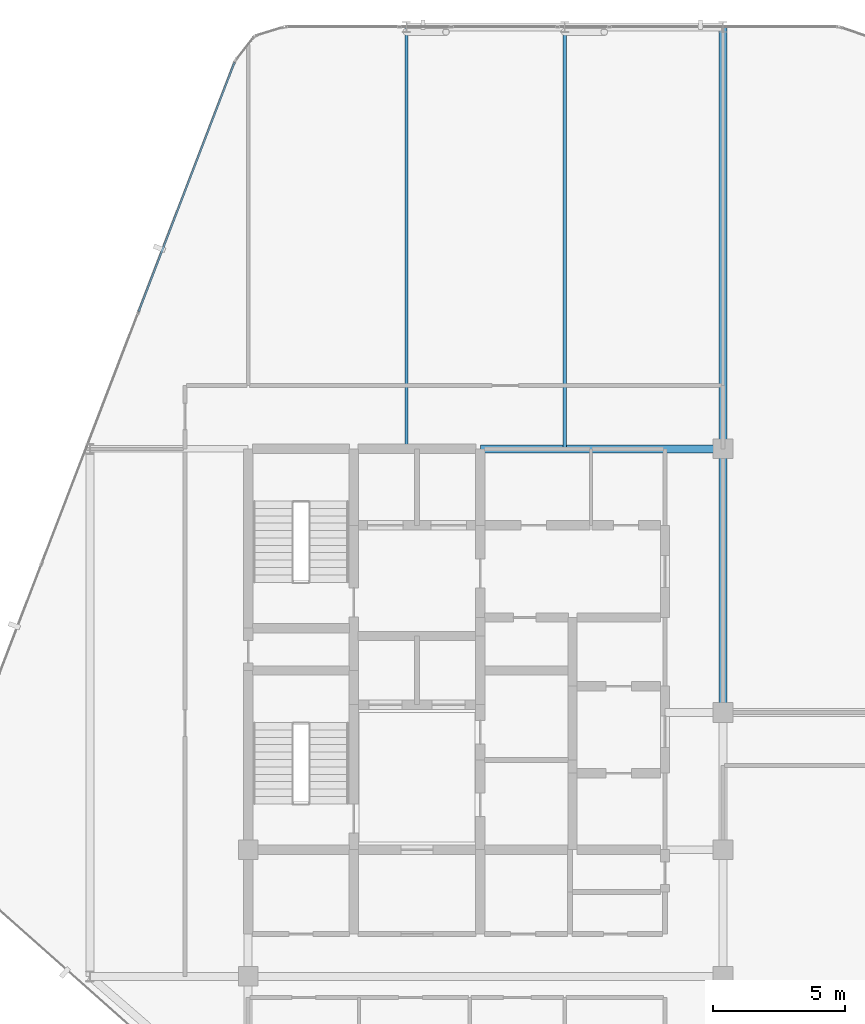
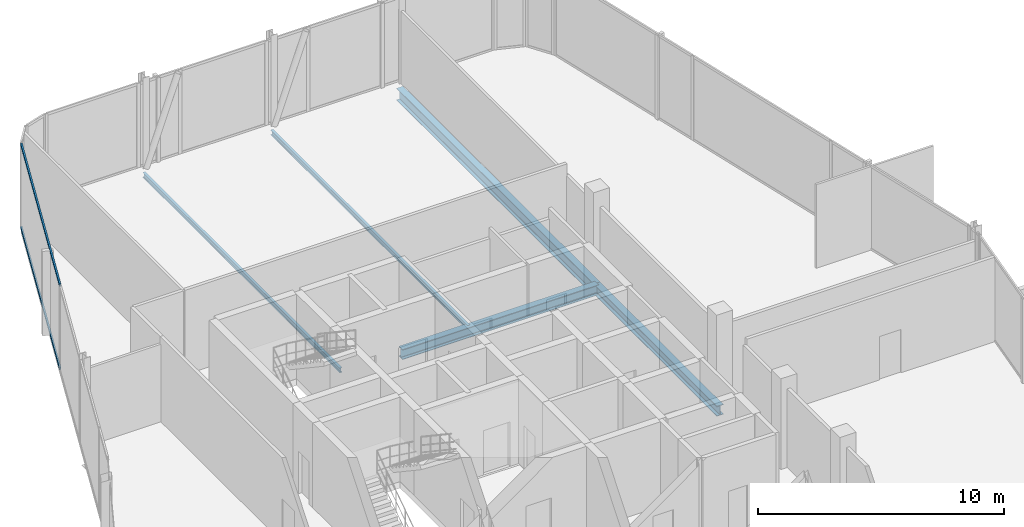
# One storey, part 13 of 24: 5 beams, 2 members, 1 element without a shape of its own.
"""IFC4 building model written with IfcOpenShell, lengths in metres."""

from ifc_helpers import new_model, si_unit, direction, frame, origin, origin_2d, place, context, subcontext, project, spatial, hollow_rectangle, i_section, extrude, material, layer, layer_set, material_profile, profile_set, type_object, element, aggregate, save


model = new_model("IFC4")

# Units and contexts
model_context = context("Model", 3, precision=1e-05, world=origin(), true_north=direction((0.0, 1.0)))
body_context = subcontext(model_context, "Body", "Model", "MODEL_VIEW")
ifc_project = project(units=[si_unit("LENGTHUNIT", "METRE"), si_unit("AREAUNIT", "SQUARE_METRE"), si_unit("VOLUMEUNIT", "CUBIC_METRE"), si_unit("PLANEANGLEUNIT", "RADIAN"), si_unit("MASSUNIT", "GRAM", prefix="KILO")], contexts=[model_context])

# Site, building, storey
site_placement = place(None, origin())
site = spatial("IfcSite", under=ifc_project, at=site_placement, CompositionType="ELEMENT")
building_placement = place(site_placement, origin())
building = spatial("IfcBuilding", under=site, at=building_placement, Name="Keshet Zoharim Tower", CompositionType="ELEMENT")
storey_placement = place(building_placement, frame((0.0, 0.0, 242.800048828125)))
storey = spatial("IfcBuildingStorey", under=building, at=storey_placement, Name="L60", CompositionType="ELEMENT", Elevation=242.800048828125)

# Beams
ifc_material_1 = material(Name="Steel S355", Category="steel")
ifc_material_profile_1 = material_profile(ifc_material_1, i_section(OverallWidth=0.1201171875, OverallDepth=0.239990234375, WebThickness=0.006103515625, FlangeThickness=0.009765625, FilletRadius=0.014892578125, at=origin_2d()), Name="IPE240")
ifc_profile_set_1 = profile_set([ifc_material_profile_1], Name="Steel S355")
beam_type_1 = type_object("IfcBeamType", Name="BM-JST-IP240", PredefinedType="JOIST", material=ifc_profile_set_1)
for number, where, z_axis, x_axis, name in (
    (1, (21.0, 37.89990234375, -0.43994140625), (0.0, 1.0, 0.0), (-1.0, 0.0, 0.0), "L60 Secondary Floor Joist J-001"),
    (2, (27.0, 37.89990234375, -0.43994140625), (0.0, 1.0, 0.0), (-1.0, 0.0, 0.0), "L60 Secondary Floor Joist J-002"),
):
    element("IfcBeam", number, at=place(storey_placement, frame(where, z_axis=z_axis, x_axis=x_axis)), inside=storey, type_object=beam_type_1, Name=name, PredefinedType="JOIST", context=body_context, shape_type="SweptSolid", body=[
        extrude(i_section(OverallWidth=0.1201171875, OverallDepth=0.239990234375, WebThickness=0.006103515625, FlangeThickness=0.009765625, FilletRadius=0.014892578125, at=origin_2d()), origin(), (0.0, 0.0, 1.0), 16.0),
    ])
ifc_material_profile_2 = material_profile(ifc_material_1, i_section(OverallWidth=0.300048828125, OverallDepth=0.60009765625, WebThickness=0.015380859375, FlangeThickness=0.030029296875, FilletRadius=0.027099609375, at=origin_2d()), Name="HEB600")
ifc_profile_set_2 = profile_set([ifc_material_profile_2], Name="Steel S355")
beam_type_2 = type_object("IfcBeamType", Name="BM-LNG-HB600", PredefinedType="BEAM", material=ifc_profile_set_2)
beam_1_placement = place(storey_placement, frame((33.0, 37.89990234375, -0.6201171875), z_axis=(0.0, 1.0, 0.0), x_axis=(-1.0, 0.0, 0.0)))
element("IfcBeam", 3, at=beam_1_placement, inside=storey, type_object=beam_type_2, Name="L60 Primary Girder Y-009", PredefinedType="BEAM", context=body_context, shape_type="SweptSolid", body=[
    extrude(i_section(OverallWidth=0.300048828125, OverallDepth=0.60009765625, WebThickness=0.015380859375, FlangeThickness=0.030029296875, FilletRadius=0.027099609375, at=origin_2d()), origin(), (0.0, 0.0, 1.0), 16.0),
])
ifc_material_profile_3 = material_profile(ifc_material_1, i_section(OverallWidth=0.300048828125, OverallDepth=0.5, WebThickness=0.014404296875, FlangeThickness=0.028076171875, FilletRadius=0.027099609375, at=origin_2d()), Name="HEB500")
ifc_profile_set_3 = profile_set([ifc_material_profile_3], Name="Steel S355")
beam_type_3 = type_object("IfcBeamType", Name="BM-MED-HB500", PredefinedType="BEAM", material=ifc_profile_set_3)
beam_2_placement = place(storey_placement, frame((23.800048828125, 37.89990234375, -0.570068359375), z_axis=(1.0, 0.0, 0.0), x_axis=(0.0, 1.0, 0.0)))
element("IfcBeam", 4, at=beam_2_placement, inside=storey, type_object=beam_type_3, Name="L60 Primary Girder X-009", PredefinedType="BEAM", context=body_context, shape_type="SweptSolid", body=[
    extrude(i_section(OverallWidth=0.300048828125, OverallDepth=0.5, WebThickness=0.014404296875, FlangeThickness=0.028076171875, FilletRadius=0.027099609375, at=origin_2d()), origin(), (0.0, 0.0, 1.0), 9.199951171875),
])
beam_3_placement = place(storey_placement, frame((33.0, 27.89990234375, -0.570068359375), z_axis=(0.0, 1.0, 0.0), x_axis=(-1.0, 0.0, 0.0)))
element("IfcBeam", 5, at=beam_3_placement, inside=storey, type_object=beam_type_3, Name="L60 Primary Girder Y-008", PredefinedType="BEAM", context=body_context, shape_type="SweptSolid", body=[
    extrude(i_section(OverallWidth=0.300048828125, OverallDepth=0.5, WebThickness=0.014404296875, FlangeThickness=0.028076171875, FilletRadius=0.027099609375, at=origin_2d()), origin(), (0.0, 0.0, 1.0), 10.0),
])

# Curtain wall, members
ifc_material_2 = material(Name="Aluminium 6063-T6", Category="aluminium")
ifc_layer = layer(ifc_material_2, 0.260009765625)
ifc_layer_set = layer_set([ifc_layer], Name="Aluminium 6063-T6")
curtain_wall_type = type_object("IfcCurtainWallType", Name="CW-SYS-06", PredefinedType="NOTDEFINED", material=ifc_layer_set)
curtain_wall_placement = place(storey_placement, origin())
curtain_wall = element("IfcCurtainWall", 6, at=curtain_wall_placement, inside=storey, type_object=curtain_wall_type, Name="L60 Unitised Curtain Wall 03", PredefinedType="NOTDEFINED")
ifc_material_profile_4 = material_profile(ifc_material_2, hollow_rectangle(XDim=0.074951171875, YDim=0.1201171875, WallThickness=0.00390625, at=origin_2d()), Name="TRN-75x120")
ifc_profile_set_4 = profile_set([ifc_material_profile_4], Name="Aluminium 6063-T6")
member_type = type_object("IfcMemberType", Name="CWT-T12", PredefinedType="USERDEFINED", material=ifc_profile_set_4)
member_1_placement = place(storey_placement, frame((10.849609375, 43.10888671875, 0.034912109375), z_axis=(0.358985546764, 0.933343118694, 0.0), x_axis=(-0.933343118694, 0.358985546764, 0.0)))
member_1 = element("IfcMember", 7, at=member_1_placement, type_object=member_type, Name="CW-06 transom 3.1", ObjectType="TRANSOM", PredefinedType="USERDEFINED", context=body_context, shape_type="SweptSolid", body=[
    extrude(hollow_rectangle(XDim=0.074951171875, YDim=0.1201171875, WallThickness=0.00390625, at=origin_2d()), origin(), (0.0, 0.0, 1.0), 10.118408203125),
])
member_2_placement = place(storey_placement, frame((10.849609375, 43.10888671875, 4.155029296875), z_axis=(0.358985546764, 0.933343118694, 0.0), x_axis=(-0.933343118694, 0.358985546764, 0.0)))
member_2 = element("IfcMember", 8, at=member_2_placement, type_object=member_type, Name="CW-06 transom 3.2", ObjectType="TRANSOM", PredefinedType="USERDEFINED", context=body_context, shape_type="SweptSolid", body=[
    extrude(hollow_rectangle(XDim=0.074951171875, YDim=0.1201171875, WallThickness=0.00390625, at=origin_2d()), origin(), (0.0, 0.0, 1.0), 10.118408203125),
])
aggregate(curtain_wall, [member_1, member_2])

save(model, "model.ifc")
